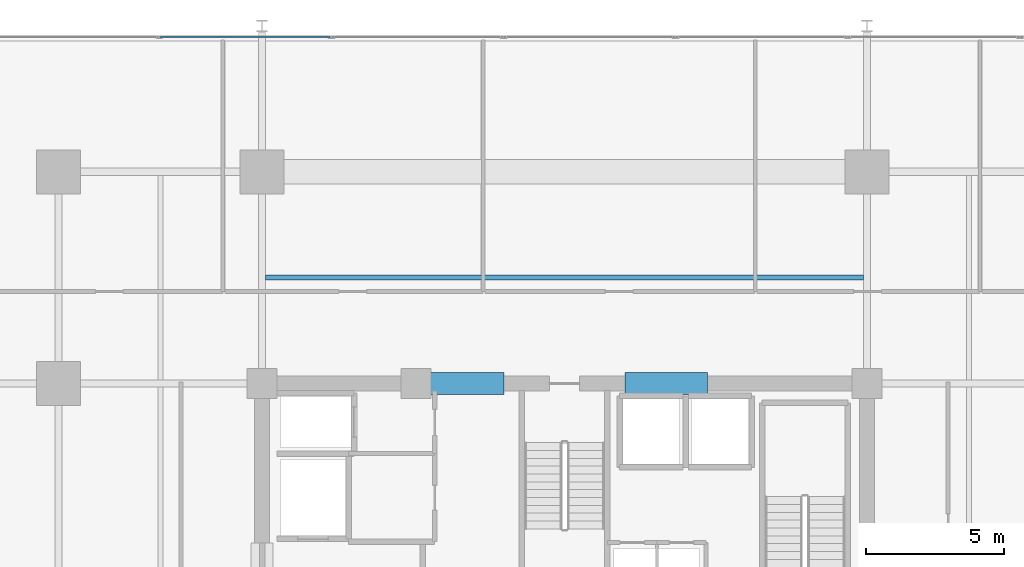
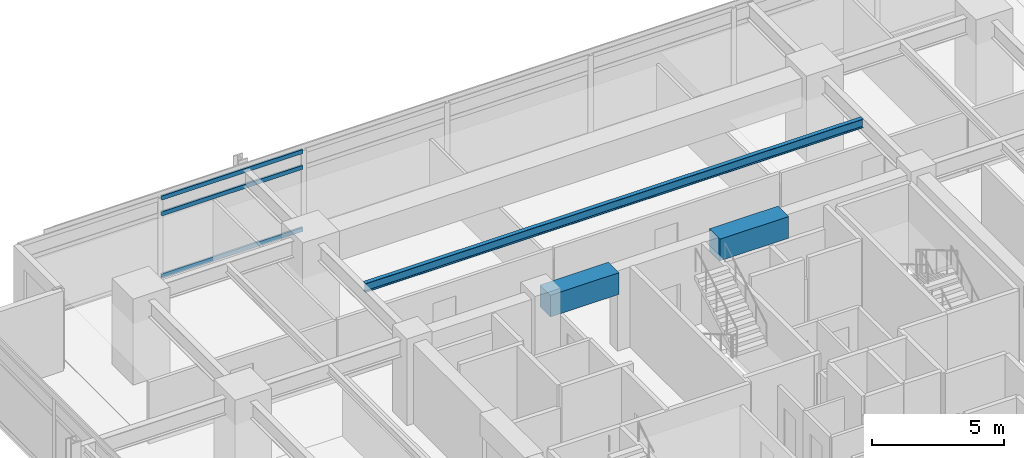
# One storey, part 7 of 22: 3 beams, 3 members, 1 element without a shape of its own.
"""IFC4 building model written with IfcOpenShell, lengths in metres."""

from ifc_helpers import new_model, si_unit, direction, frame, origin, origin_2d, place, context, subcontext, project, spatial, rectangle, hollow_rectangle, i_section, extrude, material, material_profile, profile_set, type_object, element, aggregate, save


model = new_model("IFC4")

# Units and contexts
model_context = context("Model", 3, precision=1e-05, world=origin(), true_north=direction((0.0, 1.0)))
body_context = subcontext(model_context, "Body", "Model", "MODEL_VIEW")
ifc_project = project(units=[si_unit("LENGTHUNIT", "METRE"), si_unit("AREAUNIT", "SQUARE_METRE"), si_unit("VOLUMEUNIT", "CUBIC_METRE"), si_unit("PLANEANGLEUNIT", "RADIAN"), si_unit("MASSUNIT", "GRAM", prefix="KILO")], contexts=[model_context])

# Site, building, storey
site_placement = place(None, origin())
site = spatial("IfcSite", under=ifc_project, at=site_placement, CompositionType="ELEMENT")
building_placement = place(site_placement, origin())
building = spatial("IfcBuilding", under=site, at=building_placement, Name="Kovane Verandah Tower", CompositionType="ELEMENT")
storey_placement = place(building_placement, frame((0.0, 0.0, 180.39990234375)))
storey = spatial("IfcBuildingStorey", under=building, at=storey_placement, Name="L42", CompositionType="ELEMENT", Elevation=180.39990234375)

# Beams
ifc_material_1 = material(Name="Concrete C60/75", Category="concrete")
ifc_material_profile_1 = material_profile(ifc_material_1, rectangle(XDim=0.800048828125, YDim=1.0, at=origin_2d()), Name="RCB800x1000")
ifc_profile_set_1 = profile_set([ifc_material_profile_1], Name="Concrete C60/75")
beam_type_1 = type_object("IfcBeamType", Name="BM-LINTEL-800x1000", PredefinedType="LINTEL", material=ifc_profile_set_1)
for number, where, z_axis, x_axis, name in (
    (1, (34.800048828125, 36.5, 3.2001953125), (1.0, 0.0, 0.0), (0.0, 1.0, 0.0), "L42 Core Coupling Lintel CL-N1"),
    (2, (42.199951171875, 36.5, 3.2001953125), (1.0, 0.0, 0.0), (0.0, 1.0, 0.0), "L42 Core Coupling Lintel CL-N2"),
):
    element("IfcBeam", number, at=place(storey_placement, frame(where, z_axis=z_axis, x_axis=x_axis)), inside=storey, type_object=beam_type_1, Name=name, PredefinedType="LINTEL", context=body_context, shape_type="SweptSolid", body=[
        extrude(rectangle(XDim=0.800048828125, YDim=1.0, at=origin_2d()), origin(), (0.0, 0.0, 1.0), 3.0),
    ])

# Curtain wall, members
ifc_material_2 = material(Name="Champagne Anodised Aluminium Frame with Low-E Clear Laminated Glass", Category="aluminium")
curtain_wall_type = type_object("IfcCurtainWallType", Name="CW-SYS-03-MID", PredefinedType="NOTDEFINED", material=ifc_material_2)
curtain_wall_placement = place(storey_placement, origin())
curtain_wall = element("IfcCurtainWall", 3, at=curtain_wall_placement, inside=storey, type_object=curtain_wall_type, Name="L42 N Unitised Curtain Wall", PredefinedType="NOTDEFINED")
ifc_material_3 = material(Name="Champagne Anodised Aluminium 6063-T6", Category="aluminium")
ifc_material_profile_2 = material_profile(ifc_material_3, hollow_rectangle(XDim=0.0849609375, YDim=0.18994140625, WallThickness=0.00390625, at=origin_2d()), Name="AL85x190x4")
ifc_profile_set_2 = profile_set([ifc_material_profile_2], Name="Champagne Anodised Aluminium 6063-T6")
member_type = type_object("IfcMemberType", Name="CW-TRN-85x190", PredefinedType="USERDEFINED", material=ifc_profile_set_2)
member_1_placement = place(storey_placement, frame((31.469970703125, 49.10009765625, 0.050048828125), z_axis=(-1.0, 0.0, 0.0), x_axis=(0.0, -1.0, 0.0)))
member_1 = element("IfcMember", 4, at=member_1_placement, type_object=member_type, Name="L42 N Unitised Curtain Wall Transom TB Bay 6", ObjectType="TRANSOM", PredefinedType="USERDEFINED", context=body_context, shape_type="SweptSolid", body=[
    extrude(hollow_rectangle(XDim=0.0849609375, YDim=0.18994140625, WallThickness=0.00390625, at=origin_2d()), origin(), (0.0, 0.0, 1.0), 6.159912109375),
])
member_2_placement = place(storey_placement, frame((31.469970703125, 49.10009765625, 2.920166015625), z_axis=(-1.0, 0.0, 0.0), x_axis=(0.0, -1.0, 0.0)))
member_2 = element("IfcMember", 5, at=member_2_placement, type_object=member_type, Name="L42 N Unitised Curtain Wall Transom TM Bay 6", ObjectType="TRANSOM", PredefinedType="USERDEFINED", context=body_context, shape_type="SweptSolid", body=[
    extrude(hollow_rectangle(XDim=0.0849609375, YDim=0.18994140625, WallThickness=0.00390625, at=origin_2d()), origin(), (0.0, 0.0, 1.0), 6.159912109375),
])
member_3_placement = place(storey_placement, frame((31.469970703125, 49.10009765625, 3.650146484375), z_axis=(-1.0, 0.0, 0.0), x_axis=(0.0, -1.0, 0.0)))
member_3 = element("IfcMember", 6, at=member_3_placement, type_object=member_type, Name="L42 N Unitised Curtain Wall Transom TT Bay 6", ObjectType="TRANSOM", PredefinedType="USERDEFINED", context=body_context, shape_type="SweptSolid", body=[
    extrude(hollow_rectangle(XDim=0.0849609375, YDim=0.18994140625, WallThickness=0.00390625, at=origin_2d()), origin(), (0.0, 0.0, 1.0), 6.159912109375),
])
aggregate(curtain_wall, [member_1, member_2, member_3])

# Beam
ifc_material_4 = material(Name="Steel S355", Category="steel")
ifc_material_profile_3 = material_profile(ifc_material_4, i_section(OverallWidth=0.179443359375, OverallDepth=0.412841796875, WebThickness=0.009521484375, FlangeThickness=0.01611328125, FilletRadius=0.01025390625, at=origin_2d()), Name="UB406x178x74")
ifc_profile_set_3 = profile_set([ifc_material_profile_3], Name="Steel S355")
beam_type_2 = type_object("IfcBeamType", Name="JST-UB406x74", PredefinedType="JOIST", material=ifc_profile_set_3)
beam_placement = place(storey_placement, frame((29.132080078125, 40.35009765625, 3.49365234375), z_axis=(1.0, 0.0, 0.0), x_axis=(0.0, 1.0, 0.0)))
element("IfcBeam", 7, at=beam_placement, inside=storey, type_object=beam_type_2, Name="L42 Secondary Composite Joist J-N1", PredefinedType="JOIST", context=body_context, shape_type="SweptSolid", body=[
    extrude(i_section(OverallWidth=0.179443359375, OverallDepth=0.412841796875, WebThickness=0.009521484375, FlangeThickness=0.01611328125, FilletRadius=0.01025390625, at=origin_2d()), origin(), (0.0, 0.0, 1.0), 21.73583984375),
])

save(model, "model.ifc")
